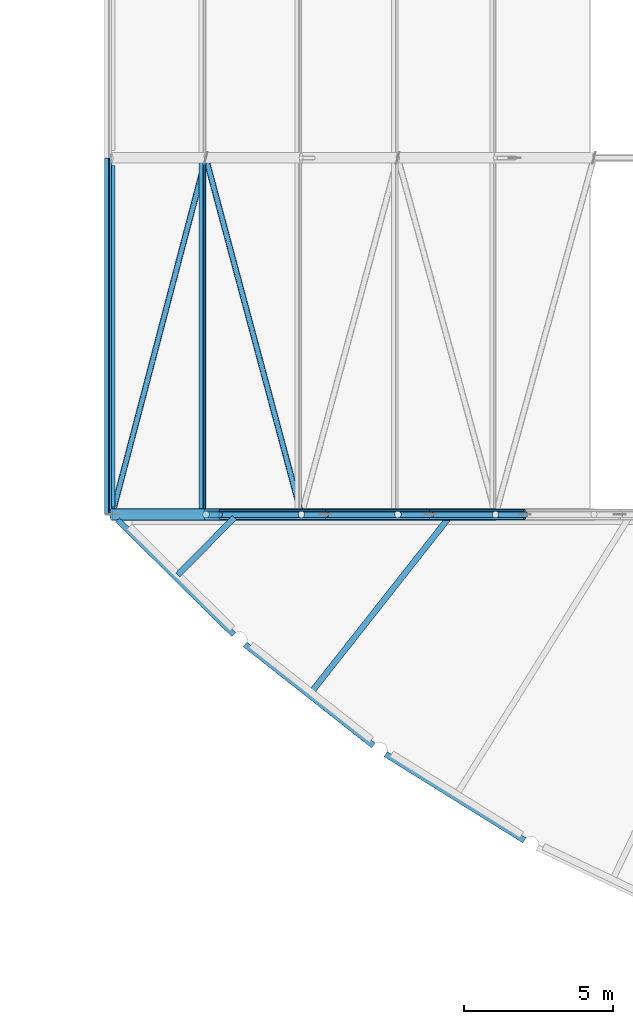
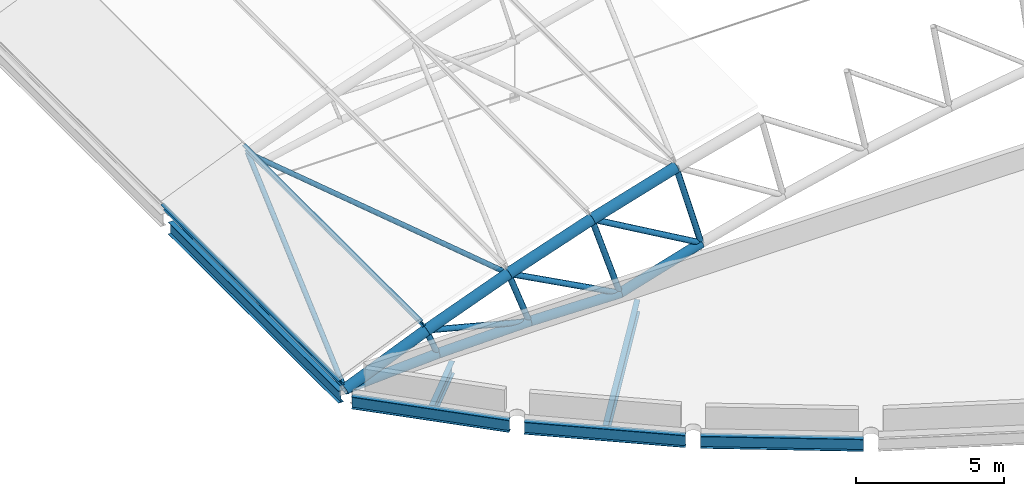
# One storey, part 13 of 321: 21 members, 4 beams.
"""IFC4 building model written with IfcOpenShell, lengths in metres."""

from ifc_helpers import new_model, si_unit, direction, frame, origin, origin_2d, place, context, subcontext, project, spatial, hollow_circle, i_section, extrude, material, material_profile, profile_set, type_object, element, save


model = new_model("IFC4")

# Units and contexts
model_context = context("Model", 3, precision=1e-05, world=origin(), true_north=direction((0.0, 1.0)))
body_context = subcontext(model_context, "Body", "Model", "MODEL_VIEW")
ifc_project = project(units=[si_unit("LENGTHUNIT", "METRE"), si_unit("AREAUNIT", "SQUARE_METRE"), si_unit("VOLUMEUNIT", "CUBIC_METRE"), si_unit("PLANEANGLEUNIT", "RADIAN"), si_unit("MASSUNIT", "GRAM", prefix="KILO")], contexts=[model_context])

# Site, building, storey
site_placement = place(None, origin())
site = spatial("IfcSite", under=ifc_project, at=site_placement, CompositionType="ELEMENT")
building_placement = place(site_placement, origin())
building = spatial("IfcBuilding", under=site, at=building_placement, Name="Ravi Spectrum Wholesale Market", CompositionType="ELEMENT")
storey_placement = place(building_placement, frame((0.0, 0.0, 10.800048828125)))
storey = spatial("IfcBuildingStorey", under=building, at=storey_placement, Name="L02", CompositionType="ELEMENT", Elevation=10.800048828125)

# Members
ifc_material_1 = material(Name="Steel S355", Category="steel")
ifc_material_profile_1 = material_profile(ifc_material_1, hollow_circle(Radius=0.096923828125, WallThickness=0.00634765625, at=origin_2d()))
ifc_profile_set_1 = profile_set([ifc_material_profile_1], Name="Steel S355")
member_type_1 = type_object("IfcMemberType", Name="CHS 193.7x6.3 brace", PredefinedType="BRACE", material=ifc_profile_set_1)
member_1_placement = place(storey_placement, frame((30.0, 30.0, 0.0), z_axis=(0.252750787053, 0.961474087551, 0.108095414384), x_axis=(-0.967141027223, 0.254240503189, 0.0)))
element("IfcMember", 1, at=member_1_placement, inside=storey, type_object=member_type_1, Name="H1-MB-L02-1584", PredefinedType="BRACE", context=body_context, shape_type="SweptSolid", body=[
    extrude(hollow_circle(Radius=0.096923828125, WallThickness=0.00634765625, at=origin_2d()), origin(), (0.0, 0.0, 1.0), 12.48095703125),
])
member_2_placement = place(storey_placement, frame((33.154541015625, 42.0, 1.34912109375), z_axis=(0.257759532951, -0.961478072674, 0.095498371395), x_axis=(0.96589260156, 0.258943009659, 0.0)))
element("IfcMember", 2, at=member_2_placement, inside=storey, type_object=member_type_1, Name="H1-MB-L02-1585", PredefinedType="BRACE", context=body_context, shape_type="SweptSolid", body=[
    extrude(hollow_circle(Radius=0.096923828125, WallThickness=0.00634765625, at=origin_2d()), origin(), (0.0, 0.0, 1.0), 12.480712890625),
])
ifc_material_2 = material(Name="Steel S355", Category="steel")
ifc_material_profile_2 = material_profile(ifc_material_2, hollow_circle(Radius=0.109619140625, WallThickness=0.008056640625, at=origin_2d()))
ifc_profile_set_2 = profile_set([ifc_material_profile_2], Name="Steel S355")
member_type_2 = type_object("IfcMemberType", Name="CHS 219.1x8 brace", PredefinedType="BRACE", material=ifc_profile_set_2)
member_3_placement = place(storey_placement, frame((33.163818359375, 30.0, 1.325439453125), z_axis=(0.967942387937, 0.0, -0.251172318609), x_axis=(0.0, 1.0, 0.0)))
element("IfcMember", 3, at=member_3_placement, inside=storey, type_object=member_type_2, Name="H1-MB-L02-072", PredefinedType="BRACE", context=body_context, shape_type="SweptSolid", body=[
    extrude(hollow_circle(Radius=0.109619140625, WallThickness=0.008056640625, at=origin_2d()), origin(), (0.0, 0.0, 1.0), 4.15234375),
])
for number, where, z_axis, x_axis, name in (
    (4, (36.37158203125, 30.0, 2.541015625), (0.881933088563, 0.0, -0.471374614608), (0.0, 1.0, 0.0), "H1-MB-L02-073"),
    (5, (39.619384765625, 30.0, 3.645263671875), (0.865160555252, 0.0, -0.501494978675), (0.0, 1.0, 0.0), "H1-MB-L02-074"),
):
    element("IfcMember", number, at=place(storey_placement, frame(where, z_axis=z_axis, x_axis=x_axis)), inside=storey, type_object=member_type_2, Name=name, PredefinedType="BRACE", context=body_context, shape_type="SweptSolid", body=[
        extrude(hollow_circle(Radius=0.109619140625, WallThickness=0.008056640625, at=origin_2d()), origin(), (0.0, 0.0, 1.0), 4.9296875),
    ])
ifc_material_3 = material(Name="Steel S355", Category="steel")
ifc_material_profile_3 = material_profile(ifc_material_3, hollow_circle(Radius=0.109619140625, WallThickness=0.008056640625, at=origin_2d()))
ifc_profile_set_3 = profile_set([ifc_material_profile_3], Name="Steel S355")
member_type_3 = type_object("IfcMemberType", Name="CHS 219.1x8 post", PredefinedType="POST", material=ifc_profile_set_3)
member_4_placement = place(storey_placement, frame((33.163818359375, 30.0, 1.325439453125), z_axis=(0.370513497528, 0.0, -0.928827081942), x_axis=(0.0, 1.0, 0.0)))
element("IfcMember", 6, at=member_4_placement, inside=storey, type_object=member_type_3, Name="H1-MB-L02-049", PredefinedType="POST", context=body_context, shape_type="SweptSolid", body=[
    extrude(hollow_circle(Radius=0.109619140625, WallThickness=0.008056640625, at=origin_2d()), origin(), (0.0, 0.0, 1.0), 1.199951171875),
])
member_5_placement = place(storey_placement, frame((36.37158203125, 30.0, 2.541015625), z_axis=(0.338146640483, 0.0, -0.941093432944), x_axis=(0.0, 1.0, 0.0)))
element("IfcMember", 7, at=member_5_placement, inside=storey, type_object=member_type_3, Name="H1-MB-L02-050", PredefinedType="POST", context=body_context, shape_type="SweptSolid", body=[
    extrude(hollow_circle(Radius=0.109619140625, WallThickness=0.008056640625, at=origin_2d()), origin(), (0.0, 0.0, 1.0), 2.39990234375),
])
member_6_placement = place(storey_placement, frame((39.619384765625, 30.0, 3.645263671875), z_axis=(0.305506444581, 0.0, -0.952190008517), x_axis=(0.0, 1.0, 0.0)))
element("IfcMember", 8, at=member_6_placement, inside=storey, type_object=member_type_3, Name="H1-MB-L02-051", PredefinedType="POST", context=body_context, shape_type="SweptSolid", body=[
    extrude(hollow_circle(Radius=0.109619140625, WallThickness=0.008056640625, at=origin_2d()), origin(), (0.0, 0.0, 1.0), 3.60009765625),
])
member_7_placement = place(storey_placement, frame((42.903076171875, 30.0, 4.63671875), z_axis=(0.272561766134, 0.0, -0.962138287172), x_axis=(0.0, 1.0, 0.0)))
element("IfcMember", 9, at=member_7_placement, inside=storey, type_object=member_type_3, Name="H1-MB-L02-052", PredefinedType="POST", context=body_context, shape_type="SweptSolid", body=[
    extrude(hollow_circle(Radius=0.109619140625, WallThickness=0.008056640625, at=origin_2d()), origin(), (0.0, 0.0, 1.0), 3.599853515625),
])
ifc_material_4 = material(Name="Steel S355", Category="steel")
ifc_material_profile_4 = material_profile(ifc_material_4, hollow_circle(Radius=0.177734375, WallThickness=0.012451171875, at=origin_2d()))
ifc_profile_set_4 = profile_set([ifc_material_profile_4], Name="Steel S355")
member_type_4 = type_object("IfcMemberType", Name="CHS 355.6x12.5 chord", PredefinedType="CHORD", material=ifc_profile_set_4)
member_8_placement = place(storey_placement, frame((30.0, 30.0, 0.0), z_axis=(0.998295734367, 0.0, 0.058357747936), x_axis=(0.0, 1.0, 0.0)))
element("IfcMember", 10, at=member_8_placement, inside=storey, type_object=member_type_4, Name="H1-MB-L02-025", PredefinedType="CHORD", context=body_context, shape_type="SweptSolid", body=[
    extrude(hollow_circle(Radius=0.177734375, WallThickness=0.012451171875, at=origin_2d()), origin(), (0.0, 0.0, 1.0), 3.614501953125),
])
member_9_placement = place(storey_placement, frame((33.6083984375, 30.0, 0.2109375), z_axis=(0.999799841502, 0.0, 0.020006922112), x_axis=(0.0, 1.0, 0.0)))
element("IfcMember", 11, at=member_9_placement, inside=storey, type_object=member_type_4, Name="H1-MB-L02-026", PredefinedType="CHORD", context=body_context, shape_type="SweptSolid", body=[
    extrude(hollow_circle(Radius=0.177734375, WallThickness=0.012451171875, at=origin_2d()), origin(), (0.0, 0.0, 1.0), 3.575439453125),
])
member_10_placement = place(storey_placement, frame((37.18310546875, 30.0, 0.282470703125), z_axis=(0.999830134639, 0.0, -0.018431002896), x_axis=(0.0, 1.0, 0.0)))
element("IfcMember", 12, at=member_10_placement, inside=storey, type_object=member_type_4, Name="H1-MB-L02-027", PredefinedType="CHORD", context=body_context, shape_type="SweptSolid", body=[
    extrude(hollow_circle(Radius=0.177734375, WallThickness=0.012451171875, at=origin_2d()), origin(), (0.0, 0.0, 1.0), 3.53662109375),
])
member_11_placement = place(storey_placement, frame((40.71923828125, 30.0, 0.21728515625), z_axis=(0.957300337613, 0.0, 0.289095250058), x_axis=(0.0, 1.0, 0.0)))
element("IfcMember", 13, at=member_11_placement, inside=storey, type_object=member_type_4, Name="H1-MB-L02-028", PredefinedType="CHORD", context=body_context, shape_type="SweptSolid", body=[
    extrude(hollow_circle(Radius=0.177734375, WallThickness=0.012451171875, at=origin_2d()), origin(), (0.0, 0.0, 1.0), 3.30615234375),
])
ifc_material_5 = material(Name="Steel S355", Category="steel")
ifc_material_profile_5 = material_profile(ifc_material_5, hollow_circle(Radius=0.203125, WallThickness=0.01611328125, at=origin_2d()))
ifc_profile_set_5 = profile_set([ifc_material_profile_5], Name="Steel S355")
member_type_5 = type_object("IfcMemberType", Name="CHS 406.4x16 chord", PredefinedType="CHORD", material=ifc_profile_set_5)
member_12_placement = place(storey_placement, frame((30.0, 30.0, 0.0), z_axis=(0.922331882778, 0.0, 0.386398625789), x_axis=(0.0, 1.0, 0.0)))
element("IfcMember", 14, at=member_12_placement, inside=storey, type_object=member_type_5, Name="H1-MB-L02-001", PredefinedType="CHORD", context=body_context, shape_type="SweptSolid", body=[
    extrude(hollow_circle(Radius=0.203125, WallThickness=0.01611328125, at=origin_2d()), origin(), (0.0, 0.0, 1.0), 3.43017578125),
])
for number, where, z_axis, x_axis, name in (
    (15, (33.163818359375, 30.0, 1.325439453125), (0.935109783896, 0.0, 0.354358140956), (0.0, 1.0, 0.0), "H1-MB-L02-002"),
    (16, (36.37158203125, 30.0, 2.541015625), (0.946773178626, 0.0, 0.321901457335), (0.0, 1.0, 0.0), "H1-MB-L02-003"),
):
    element("IfcMember", number, at=place(storey_placement, frame(where, z_axis=z_axis, x_axis=x_axis)), inside=storey, type_object=member_type_5, Name=name, PredefinedType="CHORD", context=body_context, shape_type="SweptSolid", body=[
        extrude(hollow_circle(Radius=0.203125, WallThickness=0.01611328125, at=origin_2d()), origin(), (0.0, 0.0, 1.0), 3.430419921875),
    ])
member_13_placement = place(storey_placement, frame((39.619384765625, 30.0, 3.645263671875), z_axis=(0.957315448633, 0.0, 0.289045207204), x_axis=(0.0, 1.0, 0.0)))
element("IfcMember", 17, at=member_13_placement, inside=storey, type_object=member_type_5, Name="H1-MB-L02-004", PredefinedType="CHORD", context=body_context, shape_type="SweptSolid", body=[
    extrude(hollow_circle(Radius=0.203125, WallThickness=0.01611328125, at=origin_2d()), origin(), (0.0, 0.0, 1.0), 3.43017578125),
])
ifc_material_6 = material(Name="Steel S355", Category="steel")
ifc_material_profile_6 = material_profile(ifc_material_6, i_section(OverallWidth=0.135009765625, OverallDepth=0.27001953125, WebThickness=0.006591796875, FlangeThickness=0.01025390625, at=origin_2d()))
ifc_profile_set_6 = profile_set([ifc_material_profile_6], Name="Steel S355")
member_type_6 = type_object("IfcMemberType", Name="IPE 270 purlin", PredefinedType="PURLIN", material=ifc_profile_set_6)
for number, where, z_axis, x_axis, name in (
    (18, (29.864013671875, 30.0, 0.3095703125), (0.0, 1.0, 0.0), (-0.915525334521, 0.0, -0.402260316027), "H1-MB-L02-1234"),
    (19, (33.03857421875, 30.0, 1.6396484375), (0.0, 1.0, 0.0), (-0.928855283584, 0.0, -0.370442792017), "H1-MB-L02-1235"),
):
    element("IfcMember", number, at=place(storey_placement, frame(where, z_axis=z_axis, x_axis=x_axis)), inside=storey, type_object=member_type_6, Name=name, PredefinedType="PURLIN", context=body_context, shape_type="SweptSolid", body=[
        extrude(i_section(OverallWidth=0.135009765625, OverallDepth=0.27001953125, WebThickness=0.006591796875, FlangeThickness=0.01025390625, at=origin_2d()), origin(), (0.0, 0.0, 1.0), 12.0),
    ])

# Beams
ifc_material_7 = material(Name="Steel S355", Category="steel")
ifc_material_profile_7 = material_profile(ifc_material_7, i_section(OverallWidth=0.199951171875, OverallDepth=0.5, WebThickness=0.01025390625, FlangeThickness=0.01611328125, at=origin_2d()))
ifc_profile_set_7 = profile_set([ifc_material_profile_7], Name="Steel S355")
beam_type = type_object("IfcBeamType", Name="IPE 500 girder", PredefinedType="BEAM", material=ifc_profile_set_7)
beam_1_placement = place(storey_placement, frame((30.0, 30.25390625, -0.449951171875), z_axis=(0.0, 1.0, 0.0), x_axis=(-1.0, 0.0, 0.0)))
element("IfcBeam", 20, at=beam_1_placement, inside=storey, type_object=beam_type, Name="H1-BM-L02-001", PredefinedType="BEAM", context=body_context, shape_type="SweptSolid", body=[
    extrude(i_section(OverallWidth=0.199951171875, OverallDepth=0.5, WebThickness=0.01025390625, FlangeThickness=0.01611328125, at=origin_2d()), origin(), (0.0, 0.0, 1.0), 11.4921875),
])
beam_2_placement = place(storey_placement, frame((30.180908203125, 29.821533203125, -0.449951171875), z_axis=(0.711933279009, -0.702247111948, 0.0), x_axis=(0.702247111948, 0.711933279009, 0.0)))
element("IfcBeam", 21, at=beam_2_placement, inside=storey, type_object=beam_type, Name="H1-BM-L02-031", PredefinedType="BEAM", context=body_context, shape_type="SweptSolid", body=[
    extrude(i_section(OverallWidth=0.199951171875, OverallDepth=0.5, WebThickness=0.01025390625, FlangeThickness=0.01611328125, at=origin_2d()), origin(), (0.0, 0.0, 1.0), 5.49462890625),
])
beam_3_placement = place(storey_placement, frame((34.47314453125, 25.627197265625, -0.449951171875), z_axis=(0.785468110209, -0.618902131071, 0.0), x_axis=(0.618902131071, 0.785468110209, 0.0)))
element("IfcBeam", 22, at=beam_3_placement, inside=storey, type_object=beam_type, Name="H1-BM-L02-032", PredefinedType="BEAM", context=body_context, shape_type="SweptSolid", body=[
    extrude(i_section(OverallWidth=0.199951171875, OverallDepth=0.5, WebThickness=0.01025390625, FlangeThickness=0.01611328125, at=origin_2d()), origin(), (0.0, 0.0, 1.0), 5.4951171875),
])
beam_4_placement = place(storey_placement, frame((39.20458984375, 21.93505859375, -0.449951171875), z_axis=(0.849311168609, -0.52789254482, 0.0), x_axis=(0.52789254482, 0.849311168609, 0.0)))
element("IfcBeam", 23, at=beam_4_placement, inside=storey, type_object=beam_type, Name="H1-BM-L02-033", PredefinedType="BEAM", context=body_context, shape_type="SweptSolid", body=[
    extrude(i_section(OverallWidth=0.199951171875, OverallDepth=0.5, WebThickness=0.01025390625, FlangeThickness=0.01611328125, at=origin_2d()), origin(), (0.0, 0.0, 1.0), 5.49462890625),
])

# Members
ifc_material_8 = material(Name="Steel S355", Category="steel")
ifc_material_profile_8 = material_profile(ifc_material_8, i_section(OverallWidth=0.199951171875, OverallDepth=0.5, WebThickness=0.01025390625, FlangeThickness=0.01611328125, at=origin_2d()))
ifc_profile_set_8 = profile_set([ifc_material_profile_8], Name="Steel S355")
member_type_7 = type_object("IfcMemberType", Name="IPE 500 rafter", PredefinedType="RAFTER", material=ifc_profile_set_8)
member_14_placement = place(storey_placement, frame((32.20703125, 27.96337890625, -0.449951171875), z_axis=(0.702288886702, 0.711892070201, 0.0), x_axis=(-0.711892070201, 0.702288886702, 0.0)))
element("IfcMember", 24, at=member_14_placement, inside=storey, type_object=member_type_7, Name="H1-MB-L02-1738", PredefinedType="RAFTER", context=body_context, shape_type="SweptSolid", body=[
    extrude(i_section(OverallWidth=0.199951171875, OverallDepth=0.5, WebThickness=0.01025390625, FlangeThickness=0.01611328125, at=origin_2d()), origin(), (0.0, 0.0, 1.0), 2.72021484375),
])
member_15_placement = place(storey_placement, frame((36.693115234375, 24.00537109375, -0.449951171875), z_axis=(0.61890142263, 0.785468668418, 0.0), x_axis=(-0.785468668418, 0.61890142263, 0.0)))
element("IfcMember", 25, at=member_15_placement, inside=storey, type_object=member_type_7, Name="H1-MB-L02-1739", PredefinedType="RAFTER", context=body_context, shape_type="SweptSolid", body=[
    extrude(i_section(OverallWidth=0.199951171875, OverallDepth=0.5, WebThickness=0.01025390625, FlangeThickness=0.01611328125, at=origin_2d()), origin(), (0.0, 0.0, 1.0), 7.50439453125),
])

save(model, "model.ifc")
